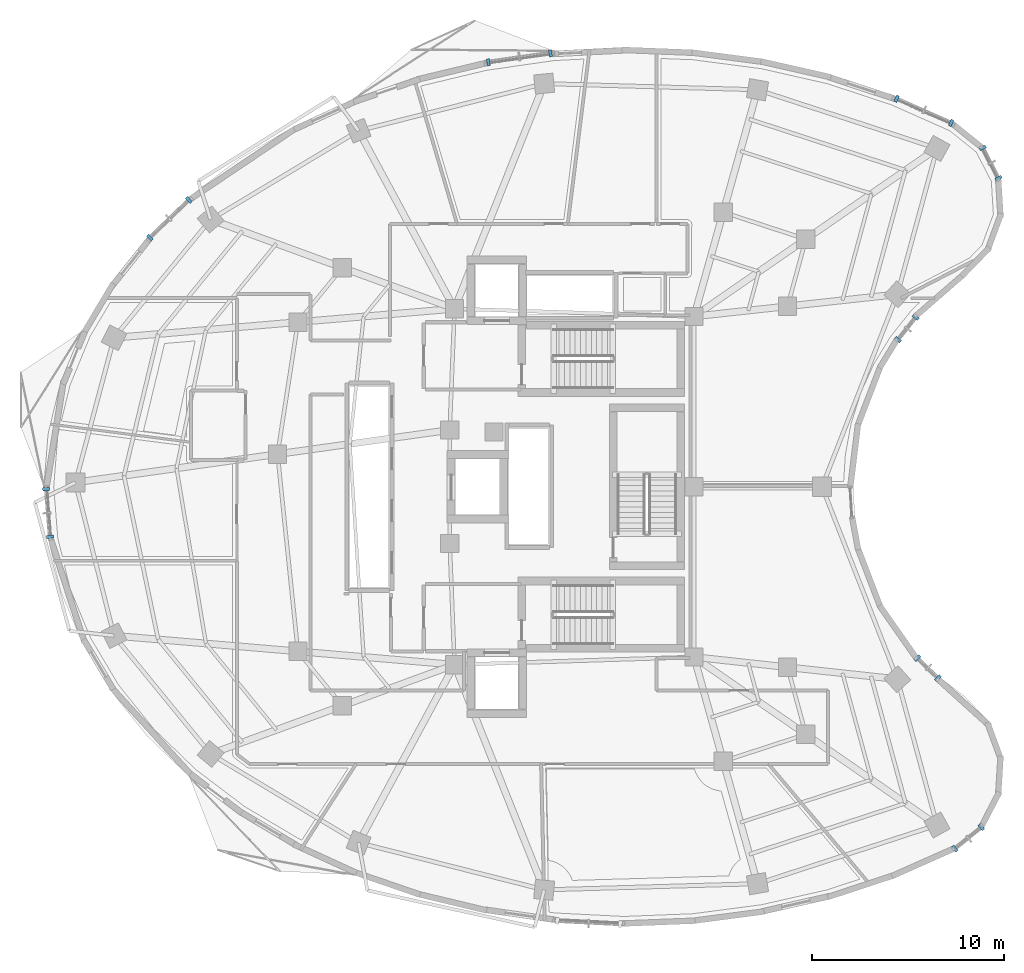
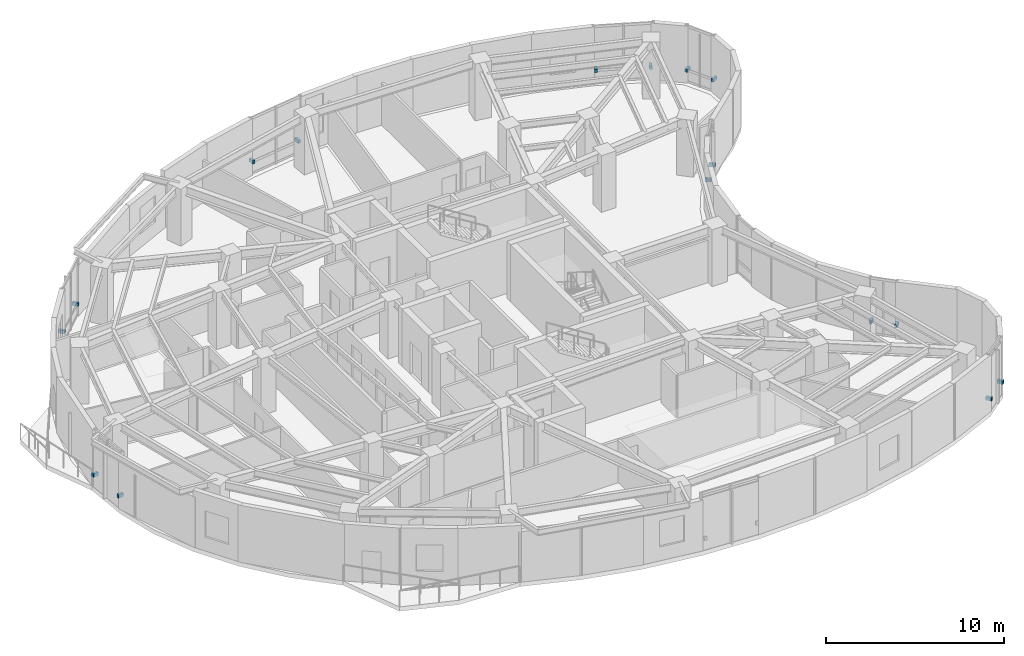
# One storey, part 12 of 15: 16 discrete accessories.
"""IFC4 building model written with IfcOpenShell, lengths in metres."""

from ifc_helpers import new_model, si_unit, direction, frame, origin, origin_2d, place, context, subcontext, project, spatial, rectangle, extrude, material, type_object, element, save


model = new_model("IFC4")

# Units and contexts
model_context = context("Model", 3, precision=1e-05, world=origin(), true_north=direction((0.0, 1.0)))
body_context = subcontext(model_context, "Body", "Model", "MODEL_VIEW")
ifc_project = project(units=[si_unit("LENGTHUNIT", "METRE"), si_unit("AREAUNIT", "SQUARE_METRE"), si_unit("VOLUMEUNIT", "CUBIC_METRE"), si_unit("PLANEANGLEUNIT", "RADIAN"), si_unit("MASSUNIT", "GRAM", prefix="KILO")], contexts=[model_context])

# Site, building, storey
site_placement = place(None, origin())
site = spatial("IfcSite", under=ifc_project, at=site_placement, CompositionType="ELEMENT")
building_placement = place(site_placement, origin())
building = spatial("IfcBuilding", under=site, at=building_placement, Name="Korentha Bioscience Tower", CompositionType="ELEMENT")
storey_placement = place(building_placement, frame((0.0, 0.0, 222.60009765625)))
storey = spatial("IfcBuildingStorey", under=building, at=storey_placement, Name="L51", CompositionType="ELEMENT", Elevation=222.60009765625)

# Discrete accessories
ifc_material = material(Name="Stainless Steel 316", Category="steel")
discrete_accessory_type = type_object("IfcDiscreteAccessoryType", Name="Stainless Steel Solar-Screen Outrigger Bracket", PredefinedType="BRACKET", material=ifc_material)
for number, where, z_axis, x_axis, name in (
    (1, (50.9072265625, 45.908203125, 0.73974609375), (0.0, 0.0, 1.0), (-0.913943941578, 0.405840450983, 0.0), "CW-L51-01 Solar-Screen Support Bracket 1"),
    (2, (48.077392578125, 47.164794921875, 0.73974609375), (0.0, 0.0, 1.0), (-0.913943941578, 0.405840450983, 0.0), "CW-L51-01 Solar-Screen Support Bracket 2"),
    (3, (30.085205078125, 49.523193359375, 0.73974609375), (0.0, 0.0, 1.0), (-0.989901889134, -0.141754188259, 0.0), "CW-L51-07 Solar-Screen Support Bracket 1"),
    (4, (26.860595703125, 49.0615234375, 0.73974609375), (0.0, 0.0, 1.0), (-0.989901889134, -0.141754188259, 0.0), "CW-L51-07 Solar-Screen Support Bracket 2"),
    (5, (11.289794921875, 41.903076171875, 0.73974609375), (0.0, 0.0, 1.0), (-0.719000359175, -0.695009700297, 0.0), "CW-L51-13 Solar-Screen Support Bracket 1"),
    (6, (9.26708984375, 39.94775390625, 0.73974609375), (0.0, 0.0, 1.0), (-0.719000359175, -0.695009700297, 0.0), "CW-L51-13 Solar-Screen Support Bracket 2"),
    (7, (3.876953125, 26.87939453125, 0.73974609375), (0.0, 0.0, 1.0), (0.07974803224, -0.996815053736, 0.0), "CW-L51-19 Solar-Screen Support Bracket 1"),
    (8, (4.075439453125, 24.39794921875, 0.73974609375), (0.0, 0.0, 1.0), (0.07974803224, -0.996815053736, 0.0), "CW-L51-19 Solar-Screen Support Bracket 2"),
    (9, (51.10205078125, 8.197021484375, 0.73974609375), (0.0, 0.0, 1.0), (0.779197616162, 0.626778330008, 0.0), "CW-L51-37 Solar-Screen Support Bracket 1"),
    (10, (52.481201171875, 9.306640625, 0.73974609375), (0.0, 0.0, 1.0), (0.779197616162, 0.626778330008, 0.0), "CW-L51-37 Solar-Screen Support Bracket 2"),
    (11, (50.21484375, 17.0537109375, 0.73974609375), (0.0, 0.0, 1.0), (-0.713258270268, 0.700901305388, 0.0), "CW-L51-43 Solar-Screen Support Bracket 1"),
    (12, (49.158447265625, 18.092041015625, 0.73974609375), (0.0, 0.0, 1.0), (-0.713258270268, 0.700901305388, 0.0), "CW-L51-43 Solar-Screen Support Bracket 2"),
    (13, (48.145751953125, 34.648193359375, 0.73974609375), (0.0, 0.0, 1.0), (0.622511989066, 0.782610262819, 0.0), "CW-L51-55 Solar-Screen Support Bracket 1"),
    (14, (49.06787109375, 35.8076171875, 0.73974609375), (0.0, 0.0, 1.0), (0.622511989066, 0.782610262819, 0.0), "CW-L51-55 Solar-Screen Support Bracket 2"),
    (15, (53.3662109375, 43.034423828125, 0.73974609375), (0.0, 0.0, 1.0), (-0.459738031963, 0.888054582763, 0.0), "CW-L51-61 Solar-Screen Support Bracket 1"),
    (16, (52.552490234375, 44.606201171875, 0.73974609375), (0.0, 0.0, 1.0), (-0.459738031963, 0.888054582763, 0.0), "CW-L51-61 Solar-Screen Support Bracket 2"),
):
    element("IfcDiscreteAccessory", number, at=place(storey_placement, frame(where, z_axis=z_axis, x_axis=x_axis)), inside=storey, type_object=discrete_accessory_type, Name=name, PredefinedType="BRACKET", context=body_context, shape_type="SweptSolid", body=[
        extrude(rectangle(XDim=0.159912109375, YDim=0.360107421875, at=origin_2d()), origin(), (0.0, 0.0, 1.0), 0.219970703125),
    ])

save(model, "model.ifc")
